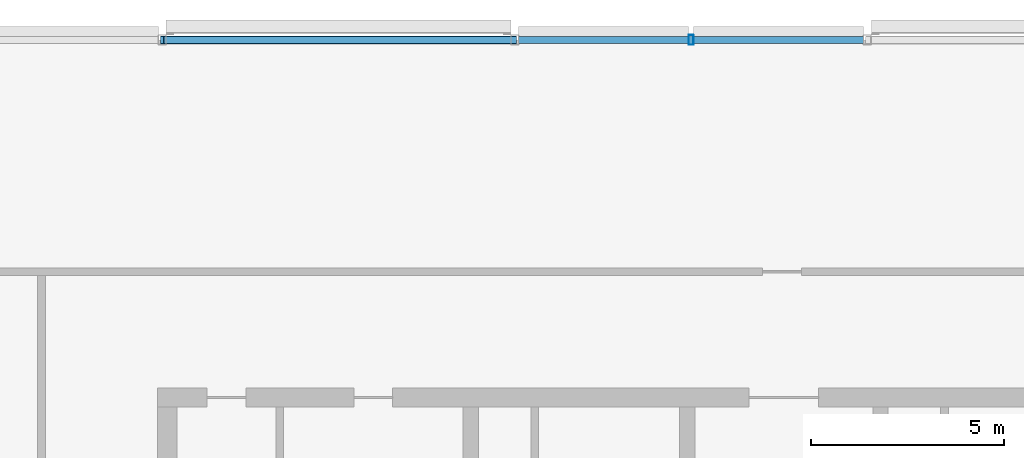
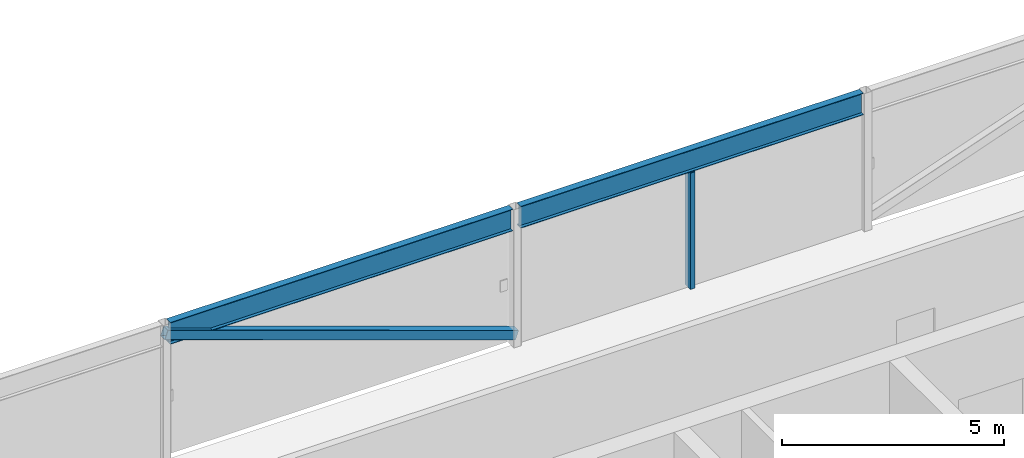
# One storey, part 12 of 28: 2 beams, 2 members.
"""IFC4 building model written with IfcOpenShell, lengths in metres."""

from ifc_helpers import new_model, si_unit, direction, frame, origin, origin_2d, place, context, subcontext, project, spatial, hollow_rectangle, i_section, extrude, material, material_profile, profile_set, type_object, element, save


model = new_model("IFC4")

# Units and contexts
model_context = context("Model", 3, precision=1e-05, world=origin(), true_north=direction((0.0, 1.0)))
body_context = subcontext(model_context, "Body", "Model", "MODEL_VIEW")
ifc_project = project(units=[si_unit("LENGTHUNIT", "METRE"), si_unit("AREAUNIT", "SQUARE_METRE"), si_unit("VOLUMEUNIT", "CUBIC_METRE"), si_unit("PLANEANGLEUNIT", "RADIAN"), si_unit("MASSUNIT", "GRAM", prefix="KILO")], contexts=[model_context])

# Site, building, storey
site_placement = place(None, origin())
site = spatial("IfcSite", under=ifc_project, at=site_placement, CompositionType="ELEMENT")
building_placement = place(site_placement, origin())
building = spatial("IfcBuilding", under=site, at=building_placement, Name="Madar Terraces", CompositionType="ELEMENT")
storey_placement = place(building_placement, frame((0.0, 0.0, 305.89990234375)))
storey = spatial("IfcBuildingStorey", under=building, at=storey_placement, Name="L79", CompositionType="ELEMENT", Elevation=305.89990234375)

# Beams
ifc_material_1 = material(Name="Steel ASTM A992 Grade 50", Category="steel")
ifc_material_profile_1 = material_profile(ifc_material_1, i_section(OverallWidth=0.1787109375, OverallDepth=0.60205078125, WebThickness=0.010986328125, FlangeThickness=0.014892578125, at=origin_2d()), Name="W24x62")
ifc_profile_set_1 = profile_set([ifc_material_profile_1], Name="Steel ASTM A992 Grade 50")
beam_type = type_object("IfcBeamType", Name="CF2 W24x62", PredefinedType="BEAM", material=ifc_profile_set_1)
for number, where, z_axis, x_axis, name in (
    (1, (33.25830078125, 46.800048828125, 3.4990234375), (-1.0, 0.0, 0.0), (0.0, -1.0, 0.0), "Crown frame ring beam CF2"),
    (2, (24.138427734375, 46.800048828125, 3.4990234375), (-1.0, 0.0, 0.0), (0.0, -1.0, 0.0), "Crown frame ring beam CF2"),
):
    element("IfcBeam", number, at=place(storey_placement, frame(where, z_axis=z_axis, x_axis=x_axis)), inside=storey, type_object=beam_type, Name=name, PredefinedType="BEAM", context=body_context, shape_type="SweptSolid", body=[
        extrude(i_section(OverallWidth=0.1787109375, OverallDepth=0.60205078125, WebThickness=0.010986328125, FlangeThickness=0.014892578125, at=origin_2d()), origin(), (0.0, 0.0, 1.0), 8.916748046875),
    ])

# Members
ifc_material_2 = material(Name="Steel ASTM A500 Grade C", Category="steel")
ifc_material_profile_2 = material_profile(ifc_material_2, hollow_rectangle(XDim=0.203125, YDim=0.25390625, WallThickness=0.009521484375, InnerFilletRadius=0.00439453125, OuterFilletRadius=0.01318359375, at=origin_2d()), Name="HSS10x8x.375")
ifc_profile_set_2 = profile_set([ifc_material_profile_2], Name="Steel ASTM A500 Grade C")
member_type_1 = type_object("IfcMemberType", Name="CF5 crown frame brace HSS10x8x.375", PredefinedType="BRACE", material=ifc_profile_set_2)
member_1_placement = place(storey_placement, frame((24.239990234375, 46.800048828125, 0.300048828125), z_axis=(-0.943631684093, 0.0, 0.330997348593), x_axis=(0.0, -1.0, 0.0)))
element("IfcMember", 3, at=member_1_placement, inside=storey, type_object=member_type_1, Name="Crown frame brace CF5", PredefinedType="BRACE", context=body_context, shape_type="SweptSolid", body=[
    extrude(hollow_rectangle(XDim=0.203125, YDim=0.25390625, WallThickness=0.009521484375, InnerFilletRadius=0.00439453125, OuterFilletRadius=0.01318359375, at=origin_2d()), origin(), (0.0, 0.0, 1.0), 9.66455078125),
])
ifc_material_3 = material(Name="Steel ASTM A500 Grade C", Category="steel")
ifc_material_profile_3 = material_profile(ifc_material_3, hollow_rectangle(XDim=0.126953125, YDim=0.25390625, WallThickness=0.00634765625, InnerFilletRadius=0.0029296875, OuterFilletRadius=0.0087890625, at=origin_2d()), Name="HSS10x5x.25")
ifc_profile_set_3 = profile_set([ifc_material_profile_3], Name="Steel ASTM A500 Grade C")
member_type_2 = type_object("IfcMemberType", Name="LS2 HSS10x5x.25", PredefinedType="POST", material=ifc_profile_set_3)
member_2_placement = place(storey_placement, frame((28.800048828125, 46.800048828125, 0.0), z_axis=(0.0, 0.0, 1.0), x_axis=(-1.0, 0.0, 0.0)))
element("IfcMember", 4, at=member_2_placement, inside=storey, type_object=member_type_2, Name="Crown louvre post LS2", PredefinedType="POST", context=body_context, shape_type="SweptSolid", body=[
    extrude(hollow_rectangle(XDim=0.126953125, YDim=0.25390625, WallThickness=0.00634765625, InnerFilletRadius=0.0029296875, OuterFilletRadius=0.0087890625, at=origin_2d()), origin(), (0.0, 0.0, 1.0), 3.197998046875),
])

save(model, "model.ifc")
